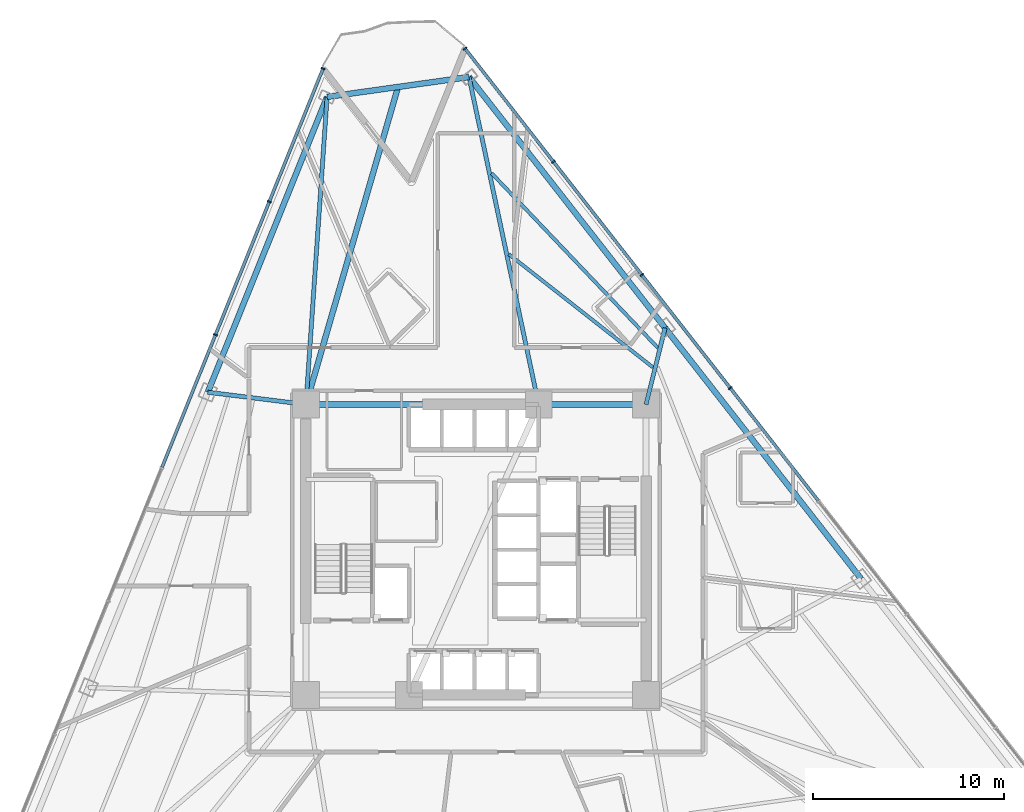
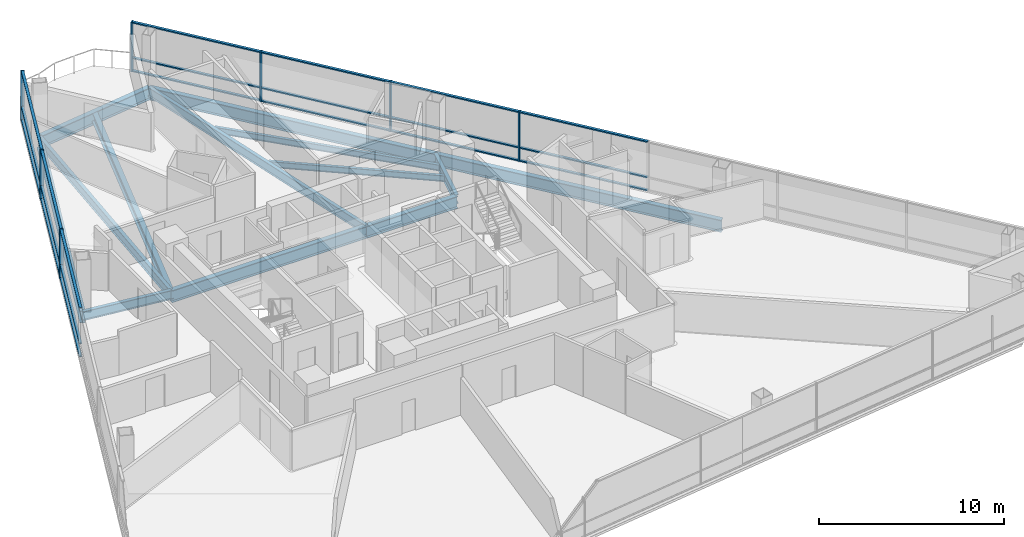
# One storey, part 5 of 15: 28 members, 13 beams, 2 elements without a shape of their own.
"""IFC4 building model written with IfcOpenShell, lengths in metres."""

from ifc_helpers import new_model, si_unit, direction, frame, origin, origin_2d, place, context, subcontext, project, spatial, rectangle, i_section, extrude, material, layer, layer_set, material_profile, profile_set, type_object, element, aggregate, save


model = new_model("IFC4")

# Units and contexts
model_context = context("Model", 3, precision=1e-05, world=origin(), true_north=direction((0.0, 1.0)))
body_context = subcontext(model_context, "Body", "Model", "MODEL_VIEW")
ifc_project = project(units=[si_unit("LENGTHUNIT", "METRE"), si_unit("AREAUNIT", "SQUARE_METRE"), si_unit("VOLUMEUNIT", "CUBIC_METRE"), si_unit("PLANEANGLEUNIT", "RADIAN"), si_unit("MASSUNIT", "GRAM", prefix="KILO")], contexts=[model_context])

# Site, building, storey
site_placement = place(None, origin())
site = spatial("IfcSite", under=ifc_project, at=site_placement, CompositionType="ELEMENT")
building_placement = place(site_placement, origin())
building = spatial("IfcBuilding", under=site, at=building_placement, Name="Tharavind Bronze Gate", CompositionType="ELEMENT")
storey_placement = place(building_placement, frame((0.0, 0.0, 74.199951171875)))
storey = spatial("IfcBuildingStorey", under=building, at=storey_placement, Name="L18", CompositionType="ELEMENT", Elevation=74.199951171875)

# Curtain wall, members
ifc_material_1 = material(Name="Anodised Bronze Aluminium", Category="aluminium")
ifc_layer = layer(ifc_material_1, 0.219970703125)
ifc_layer_set = layer_set([ifc_layer], Name="Anodised Bronze Aluminium")
curtain_wall_type = type_object("IfcCurtainWallType", Name="UNITISED CURTAIN WALL HOTEL", PredefinedType="USERDEFINED", material=ifc_layer_set)
curtain_wall_1_placement = place(storey_placement, origin())
curtain_wall_1 = element("IfcCurtainWall", 1, at=curtain_wall_1_placement, inside=storey, type_object=curtain_wall_type, Name="L18 unitised curtain wall hotel CW-L18-S1", ObjectType="UNITISED CURTAIN WALL", PredefinedType="USERDEFINED")
member_type_1 = type_object("IfcMemberType", Name="CURTAIN WALL MULLION 80X220", PredefinedType="MULLION", material=ifc_material_1)
member_1_placement = place(storey_placement, frame((-8.000732421875, 25.18310546875, 0.0), z_axis=(0.0, 0.0, 1.0), x_axis=(-0.374606593416, -0.927183854567, 0.0)))
member_1 = element("IfcMember", 2, at=member_1_placement, type_object=member_type_1, Name="CW-L18-S1 mullion 1", PredefinedType="MULLION", context=body_context, shape_type="SweptSolid", body=[
    extrude(rectangle(XDim=0.080078125, YDim=0.219970703125, at=origin_2d()), origin(), (0.0, 0.0, 1.0), 3.27490234375),
])
member_2_placement = place(storey_placement, frame((-10.81591796875, 18.215087890625, 0.0), z_axis=(0.0, 0.0, 1.0), x_axis=(-0.374606593416, -0.927183854567, 0.0)))
member_2 = element("IfcMember", 3, at=member_2_placement, type_object=member_type_1, Name="CW-L18-S1 mullion 2", PredefinedType="MULLION", context=body_context, shape_type="SweptSolid", body=[
    extrude(rectangle(XDim=0.080078125, YDim=0.219970703125, at=origin_2d()), origin(), (0.0, 0.0, 1.0), 3.27490234375),
])
member_3_placement = place(storey_placement, frame((-13.631103515625, 11.247314453125, 0.0), z_axis=(0.0, 0.0, 1.0), x_axis=(-0.374606593416, -0.927183854567, 0.0)))
member_3 = element("IfcMember", 4, at=member_3_placement, type_object=member_type_1, Name="CW-L18-S1 mullion 3", PredefinedType="MULLION", context=body_context, shape_type="SweptSolid", body=[
    extrude(rectangle(XDim=0.080078125, YDim=0.219970703125, at=origin_2d()), origin(), (0.0, 0.0, 1.0), 3.27490234375),
])

curtain_wall_2_placement = place(storey_placement, origin())
curtain_wall_2 = element("IfcCurtainWall", 5, at=curtain_wall_2_placement, inside=storey, type_object=curtain_wall_type, Name="L18 unitised curtain wall hotel CW-L18-S3", ObjectType="UNITISED CURTAIN WALL", PredefinedType="USERDEFINED")
member_4_placement = place(storey_placement, frame((13.306396484375, 8.4609375, 0.0), z_axis=(0.0, 0.0, 1.0), x_axis=(-0.615661475326, 0.788010753607, 0.0)))
member_4 = element("IfcMember", 6, at=member_4_placement, type_object=member_type_1, Name="CW-L18-S3 mullion 5", PredefinedType="MULLION", context=body_context, shape_type="SweptSolid", body=[
    extrude(rectangle(XDim=0.080078125, YDim=0.219970703125, at=origin_2d()), origin(), (0.0, 0.0, 1.0), 3.27490234375),
])
member_5_placement = place(storey_placement, frame((8.6796875, 14.383056640625, 0.0), z_axis=(0.0, 0.0, 1.0), x_axis=(-0.615661475326, 0.788010753607, 0.0)))
member_5 = element("IfcMember", 7, at=member_5_placement, type_object=member_type_1, Name="CW-L18-S3 mullion 6", PredefinedType="MULLION", context=body_context, shape_type="SweptSolid", body=[
    extrude(rectangle(XDim=0.080078125, YDim=0.219970703125, at=origin_2d()), origin(), (0.0, 0.0, 1.0), 3.27490234375),
])
member_6_placement = place(storey_placement, frame((4.052978515625, 20.304931640625, 0.0), z_axis=(0.0, 0.0, 1.0), x_axis=(-0.615661475326, 0.788010753607, 0.0)))
member_6 = element("IfcMember", 8, at=member_6_placement, type_object=member_type_1, Name="CW-L18-S3 mullion 7", PredefinedType="MULLION", context=body_context, shape_type="SweptSolid", body=[
    extrude(rectangle(XDim=0.080078125, YDim=0.219970703125, at=origin_2d()), origin(), (0.0, 0.0, 1.0), 3.27490234375),
])
member_7_placement = place(storey_placement, frame((-0.57373046875, 26.226806640625, 0.0), z_axis=(0.0, 0.0, 1.0), x_axis=(-0.615661475326, 0.788010753607, 0.0)))
member_7 = element("IfcMember", 9, at=member_7_placement, type_object=member_type_1, Name="CW-L18-S3 mullion 8", PredefinedType="MULLION", context=body_context, shape_type="SweptSolid", body=[
    extrude(rectangle(XDim=0.080078125, YDim=0.219970703125, at=origin_2d()), origin(), (0.0, 0.0, 1.0), 3.27490234375),
])

# Member
member_type_2 = type_object("IfcMemberType", Name="CURTAIN WALL TRANSOM 80X160", PredefinedType="USERDEFINED", material=ifc_material_1)
member_8_placement = place(storey_placement, frame((-9.408203125, 21.69921875, 0.0), z_axis=(0.0, 0.0, 1.0), x_axis=(-0.374606593416, -0.927183854567, 0.0)))
member_8 = element("IfcMember", 10, at=member_8_placement, type_object=member_type_2, Name="CW-L18-S1 transom TB1", ObjectType="TRANSOM", PredefinedType="USERDEFINED", context=body_context, shape_type="SweptSolid", body=[
    extrude(rectangle(XDim=7.447021484375, YDim=0.159912109375, at=origin_2d()), origin(), (0.0, 0.0, 1.0), 0.080078125),
])

member_9_placement = place(storey_placement, frame((-9.408203125, 21.69921875, 0.860107421875), z_axis=(0.0, 0.0, 1.0), x_axis=(-0.374606593416, -0.927183854567, 0.0)))
member_9 = element("IfcMember", 11, at=member_9_placement, type_object=member_type_2, Name="CW-L18-S1 transom TS1", ObjectType="TRANSOM", PredefinedType="USERDEFINED", context=body_context, shape_type="SweptSolid", body=[
    extrude(rectangle(XDim=7.447021484375, YDim=0.159912109375, at=origin_2d()), origin(), (0.0, 0.0, 1.0), 0.080078125),
])

member_10_placement = place(storey_placement, frame((-9.408203125, 21.69921875, 3.195068359375), z_axis=(0.0, 0.0, 1.0), x_axis=(-0.374606593416, -0.927183854567, 0.0)))
member_10 = element("IfcMember", 12, at=member_10_placement, type_object=member_type_2, Name="CW-L18-S1 transom TT1", ObjectType="TRANSOM", PredefinedType="USERDEFINED", context=body_context, shape_type="SweptSolid", body=[
    extrude(rectangle(XDim=7.447021484375, YDim=0.159912109375, at=origin_2d()), origin(), (0.0, 0.0, 1.0), 0.080078125),
])

member_11_placement = place(storey_placement, frame((-12.223388671875, 14.731201171875, 0.0), z_axis=(0.0, 0.0, 1.0), x_axis=(-0.374606593416, -0.927183854567, 0.0)))
member_11 = element("IfcMember", 13, at=member_11_placement, type_object=member_type_2, Name="CW-L18-S1 transom TB2", ObjectType="TRANSOM", PredefinedType="USERDEFINED", context=body_context, shape_type="SweptSolid", body=[
    extrude(rectangle(XDim=7.447021484375, YDim=0.159912109375, at=origin_2d()), origin(), (0.0, 0.0, 1.0), 0.080078125),
])

member_12_placement = place(storey_placement, frame((-12.223388671875, 14.731201171875, 0.860107421875), z_axis=(0.0, 0.0, 1.0), x_axis=(-0.374606593416, -0.927183854567, 0.0)))
member_12 = element("IfcMember", 14, at=member_12_placement, type_object=member_type_2, Name="CW-L18-S1 transom TS2", ObjectType="TRANSOM", PredefinedType="USERDEFINED", context=body_context, shape_type="SweptSolid", body=[
    extrude(rectangle(XDim=7.447021484375, YDim=0.159912109375, at=origin_2d()), origin(), (0.0, 0.0, 1.0), 0.080078125),
])

member_13_placement = place(storey_placement, frame((-12.223388671875, 14.731201171875, 3.195068359375), z_axis=(0.0, 0.0, 1.0), x_axis=(-0.374606593416, -0.927183854567, 0.0)))
member_13 = element("IfcMember", 15, at=member_13_placement, type_object=member_type_2, Name="CW-L18-S1 transom TT2", ObjectType="TRANSOM", PredefinedType="USERDEFINED", context=body_context, shape_type="SweptSolid", body=[
    extrude(rectangle(XDim=7.447021484375, YDim=0.159912109375, at=origin_2d()), origin(), (0.0, 0.0, 1.0), 0.080078125),
])

member_14_placement = place(storey_placement, frame((-15.038818359375, 7.763427734375, 0.0), z_axis=(0.0, 0.0, 1.0), x_axis=(-0.374606593416, -0.927183854567, 0.0)))
member_14 = element("IfcMember", 16, at=member_14_placement, type_object=member_type_2, Name="CW-L18-S1 transom TB3", ObjectType="TRANSOM", PredefinedType="USERDEFINED", context=body_context, shape_type="SweptSolid", body=[
    extrude(rectangle(XDim=7.447021484375, YDim=0.159912109375, at=origin_2d()), origin(), (0.0, 0.0, 1.0), 0.080078125),
])

member_15_placement = place(storey_placement, frame((-15.038818359375, 7.763427734375, 0.860107421875), z_axis=(0.0, 0.0, 1.0), x_axis=(-0.374606593416, -0.927183854567, 0.0)))
member_15 = element("IfcMember", 17, at=member_15_placement, type_object=member_type_2, Name="CW-L18-S1 transom TS3", ObjectType="TRANSOM", PredefinedType="USERDEFINED", context=body_context, shape_type="SweptSolid", body=[
    extrude(rectangle(XDim=7.447021484375, YDim=0.159912109375, at=origin_2d()), origin(), (0.0, 0.0, 1.0), 0.080078125),
])

member_16_placement = place(storey_placement, frame((-15.038818359375, 7.763427734375, 3.195068359375), z_axis=(0.0, 0.0, 1.0), x_axis=(-0.374606593416, -0.927183854567, 0.0)))
member_16 = element("IfcMember", 18, at=member_16_placement, type_object=member_type_2, Name="CW-L18-S1 transom TT3", ObjectType="TRANSOM", PredefinedType="USERDEFINED", context=body_context, shape_type="SweptSolid", body=[
    extrude(rectangle(XDim=7.447021484375, YDim=0.159912109375, at=origin_2d()), origin(), (0.0, 0.0, 1.0), 0.080078125),
])

aggregate(curtain_wall_1, [member_1, member_2, member_3, member_8, member_9, member_10, member_11, member_12, member_13, member_14, member_15, member_16])

member_17_placement = place(storey_placement, frame((15.619873046875, 5.5, 0.0), z_axis=(0.0, 0.0, 1.0), x_axis=(-0.615661475326, 0.788010753607, 0.0)))
member_17 = element("IfcMember", 19, at=member_17_placement, type_object=member_type_2, Name="CW-L18-S3 transom TB4", ObjectType="TRANSOM", PredefinedType="USERDEFINED", context=body_context, shape_type="SweptSolid", body=[
    extrude(rectangle(XDim=7.447021484375, YDim=0.159912109375, at=origin_2d()), origin(), (0.0, 0.0, 1.0), 0.080078125),
])

member_18_placement = place(storey_placement, frame((15.619873046875, 5.5, 0.860107421875), z_axis=(0.0, 0.0, 1.0), x_axis=(-0.615661475326, 0.788010753607, 0.0)))
member_18 = element("IfcMember", 20, at=member_18_placement, type_object=member_type_2, Name="CW-L18-S3 transom TS4", ObjectType="TRANSOM", PredefinedType="USERDEFINED", context=body_context, shape_type="SweptSolid", body=[
    extrude(rectangle(XDim=7.447021484375, YDim=0.159912109375, at=origin_2d()), origin(), (0.0, 0.0, 1.0), 0.080078125),
])

member_19_placement = place(storey_placement, frame((15.619873046875, 5.5, 3.195068359375), z_axis=(0.0, 0.0, 1.0), x_axis=(-0.615661475326, 0.788010753607, 0.0)))
member_19 = element("IfcMember", 21, at=member_19_placement, type_object=member_type_2, Name="CW-L18-S3 transom TT4", ObjectType="TRANSOM", PredefinedType="USERDEFINED", context=body_context, shape_type="SweptSolid", body=[
    extrude(rectangle(XDim=7.447021484375, YDim=0.159912109375, at=origin_2d()), origin(), (0.0, 0.0, 1.0), 0.080078125),
])

member_20_placement = place(storey_placement, frame((10.9931640625, 11.422119140625, 0.0), z_axis=(0.0, 0.0, 1.0), x_axis=(-0.615661475326, 0.788010753607, 0.0)))
member_20 = element("IfcMember", 22, at=member_20_placement, type_object=member_type_2, Name="CW-L18-S3 transom TB5", ObjectType="TRANSOM", PredefinedType="USERDEFINED", context=body_context, shape_type="SweptSolid", body=[
    extrude(rectangle(XDim=7.447021484375, YDim=0.159912109375, at=origin_2d()), origin(), (0.0, 0.0, 1.0), 0.080078125),
])

member_21_placement = place(storey_placement, frame((10.9931640625, 11.422119140625, 0.860107421875), z_axis=(0.0, 0.0, 1.0), x_axis=(-0.615661475326, 0.788010753607, 0.0)))
member_21 = element("IfcMember", 23, at=member_21_placement, type_object=member_type_2, Name="CW-L18-S3 transom TS5", ObjectType="TRANSOM", PredefinedType="USERDEFINED", context=body_context, shape_type="SweptSolid", body=[
    extrude(rectangle(XDim=7.447021484375, YDim=0.159912109375, at=origin_2d()), origin(), (0.0, 0.0, 1.0), 0.080078125),
])

member_22_placement = place(storey_placement, frame((10.9931640625, 11.422119140625, 3.195068359375), z_axis=(0.0, 0.0, 1.0), x_axis=(-0.615661475326, 0.788010753607, 0.0)))
member_22 = element("IfcMember", 24, at=member_22_placement, type_object=member_type_2, Name="CW-L18-S3 transom TT5", ObjectType="TRANSOM", PredefinedType="USERDEFINED", context=body_context, shape_type="SweptSolid", body=[
    extrude(rectangle(XDim=7.447021484375, YDim=0.159912109375, at=origin_2d()), origin(), (0.0, 0.0, 1.0), 0.080078125),
])

member_23_placement = place(storey_placement, frame((6.366455078125, 17.343994140625, 0.0), z_axis=(0.0, 0.0, 1.0), x_axis=(-0.615661475326, 0.788010753607, 0.0)))
member_23 = element("IfcMember", 25, at=member_23_placement, type_object=member_type_2, Name="CW-L18-S3 transom TB6", ObjectType="TRANSOM", PredefinedType="USERDEFINED", context=body_context, shape_type="SweptSolid", body=[
    extrude(rectangle(XDim=7.447021484375, YDim=0.159912109375, at=origin_2d()), origin(), (0.0, 0.0, 1.0), 0.080078125),
])

member_24_placement = place(storey_placement, frame((6.366455078125, 17.343994140625, 0.860107421875), z_axis=(0.0, 0.0, 1.0), x_axis=(-0.615661475326, 0.788010753607, 0.0)))
member_24 = element("IfcMember", 26, at=member_24_placement, type_object=member_type_2, Name="CW-L18-S3 transom TS6", ObjectType="TRANSOM", PredefinedType="USERDEFINED", context=body_context, shape_type="SweptSolid", body=[
    extrude(rectangle(XDim=7.447021484375, YDim=0.159912109375, at=origin_2d()), origin(), (0.0, 0.0, 1.0), 0.080078125),
])

member_25_placement = place(storey_placement, frame((6.366455078125, 17.343994140625, 3.195068359375), z_axis=(0.0, 0.0, 1.0), x_axis=(-0.615661475326, 0.788010753607, 0.0)))
member_25 = element("IfcMember", 27, at=member_25_placement, type_object=member_type_2, Name="CW-L18-S3 transom TT6", ObjectType="TRANSOM", PredefinedType="USERDEFINED", context=body_context, shape_type="SweptSolid", body=[
    extrude(rectangle(XDim=7.447021484375, YDim=0.159912109375, at=origin_2d()), origin(), (0.0, 0.0, 1.0), 0.080078125),
])

member_26_placement = place(storey_placement, frame((1.73974609375, 23.265869140625, 0.0), z_axis=(0.0, 0.0, 1.0), x_axis=(-0.615661475326, 0.788010753607, 0.0)))
member_26 = element("IfcMember", 28, at=member_26_placement, type_object=member_type_2, Name="CW-L18-S3 transom TB7", ObjectType="TRANSOM", PredefinedType="USERDEFINED", context=body_context, shape_type="SweptSolid", body=[
    extrude(rectangle(XDim=7.447021484375, YDim=0.159912109375, at=origin_2d()), origin(), (0.0, 0.0, 1.0), 0.080078125),
])

member_27_placement = place(storey_placement, frame((1.73974609375, 23.265869140625, 0.860107421875), z_axis=(0.0, 0.0, 1.0), x_axis=(-0.615661475326, 0.788010753607, 0.0)))
member_27 = element("IfcMember", 29, at=member_27_placement, type_object=member_type_2, Name="CW-L18-S3 transom TS7", ObjectType="TRANSOM", PredefinedType="USERDEFINED", context=body_context, shape_type="SweptSolid", body=[
    extrude(rectangle(XDim=7.447021484375, YDim=0.159912109375, at=origin_2d()), origin(), (0.0, 0.0, 1.0), 0.080078125),
])

member_28_placement = place(storey_placement, frame((1.73974609375, 23.265869140625, 3.195068359375), z_axis=(0.0, 0.0, 1.0), x_axis=(-0.615661475326, 0.788010753607, 0.0)))
member_28 = element("IfcMember", 30, at=member_28_placement, type_object=member_type_2, Name="CW-L18-S3 transom TT7", ObjectType="TRANSOM", PredefinedType="USERDEFINED", context=body_context, shape_type="SweptSolid", body=[
    extrude(rectangle(XDim=7.447021484375, YDim=0.159912109375, at=origin_2d()), origin(), (0.0, 0.0, 1.0), 0.080078125),
])

aggregate(curtain_wall_2, [member_4, member_5, member_6, member_7, member_17, member_18, member_19, member_20, member_21, member_22, member_23, member_24, member_25, member_26, member_27, member_28])

# Beams
ifc_material_2 = material(Name="Steel S355", Category="steel")
ifc_material_profile_1 = material_profile(ifc_material_2, i_section(OverallWidth=0.300048828125, OverallDepth=0.64990234375, WebThickness=0.01611328125, FlangeThickness=0.031005859375, at=origin_2d()), Name="HE650B")
ifc_profile_set_1 = profile_set([ifc_material_profile_1], Name="Steel S355")
beam_type_1 = type_object("IfcBeamType", Name="PRIMARY GIRDER HE650B", PredefinedType="USERDEFINED", material=ifc_profile_set_1)
beam_1_placement = place(storey_placement, frame((-8.89990234375, 7.60009765625, -0.5), z_axis=(0.278626347577, 0.960399582693, 0.0), x_axis=(-0.960399582693, 0.278626347577, 0.0)))
element("IfcBeam", 31, at=beam_1_placement, inside=storey, type_object=beam_type_1, Name="L18 primary girder he650b BM-L18-BLCSB", ObjectType="GIRDER", PredefinedType="USERDEFINED", context=body_context, shape_type="SweptSolid", body=[
    extrude(i_section(OverallWidth=0.300048828125, OverallDepth=0.64990234375, WebThickness=0.01611328125, FlangeThickness=0.031005859375, at=origin_2d()), origin(), (0.0, 0.0, 1.0), 17.3046875),
])
ifc_material_profile_2 = material_profile(ifc_material_2, i_section(OverallWidth=0.219970703125, OverallDepth=0.60009765625, WebThickness=0.011962890625, FlangeThickness=0.01904296875, at=origin_2d()), Name="IPE600")
ifc_profile_set_2 = profile_set([ifc_material_profile_2], Name="Steel S355")
beam_type_2 = type_object("IfcBeamType", Name="PRIMARY GIRDER IPE600", PredefinedType="USERDEFINED", material=ifc_profile_set_2)
beam_2_placement = place(storey_placement, frame((-7.7919921875, 23.69775390625, -0.474853515625), z_axis=(-0.06866188826, -0.997639987721, 0.0), x_axis=(0.997639987721, -0.06866188826, 0.0)))
element("IfcBeam", 32, at=beam_2_placement, inside=storey, type_object=beam_type_2, Name="L18 primary girder ipe600 BM-L18-RAD01", ObjectType="GIRDER", PredefinedType="USERDEFINED", context=body_context, shape_type="SweptSolid", body=[
    extrude(i_section(OverallWidth=0.219970703125, OverallDepth=0.60009765625, WebThickness=0.011962890625, FlangeThickness=0.01904296875, at=origin_2d()), origin(), (0.0, 0.0, 1.0), 16.1357421875),
])
beam_3_placement = place(storey_placement, frame((-14.036376953125, 8.2421875, -0.474853515625), z_axis=(0.992277151101, -0.124040539351, 0.0), x_axis=(0.124040539351, 0.992277151101, 0.0)))
element("IfcBeam", 33, at=beam_3_placement, inside=storey, type_object=beam_type_2, Name="L18 primary girder ipe600 BM-L18-RAD02", ObjectType="GIRDER", PredefinedType="USERDEFINED", context=body_context, shape_type="SweptSolid", body=[
    extrude(i_section(OverallWidth=0.219970703125, OverallDepth=0.60009765625, WebThickness=0.011962890625, FlangeThickness=0.01904296875, at=origin_2d()), origin(), (0.0, 0.0, 1.0), 5.176513671875),
])
beam_4_placement = place(storey_placement, frame((9.897705078125, 11.60595703125, -0.474853515625), z_axis=(-0.241700633281, -0.970350866373, 0.0), x_axis=(0.970350866373, -0.241700633281, 0.0)))
element("IfcBeam", 34, at=beam_4_placement, inside=storey, type_object=beam_type_2, Name="L18 primary girder ipe600 BM-L18-RAD11", ObjectType="GIRDER", PredefinedType="USERDEFINED", context=body_context, shape_type="SweptSolid", body=[
    extrude(i_section(OverallWidth=0.219970703125, OverallDepth=0.60009765625, WebThickness=0.011962890625, FlangeThickness=0.01904296875, at=origin_2d()), origin(), (0.0, 0.0, 1.0), 4.128173828125),
])
beam_5_placement = place(storey_placement, frame((-0.364990234375, 24.741455078125, -0.474853515625), z_axis=(0.207994213737, -0.978130056307, 0.0), x_axis=(0.978130056307, 0.207994213737, 0.0)))
element("IfcBeam", 35, at=beam_5_placement, inside=storey, type_object=beam_type_2, Name="L18 primary girder ipe600 BM-L18-RAD12", ObjectType="GIRDER", PredefinedType="USERDEFINED", context=body_context, shape_type="SweptSolid", body=[
    extrude(i_section(OverallWidth=0.219970703125, OverallDepth=0.60009765625, WebThickness=0.011962890625, FlangeThickness=0.01904296875, at=origin_2d()), origin(), (0.0, 0.0, 1.0), 17.524658203125),
])
ifc_material_profile_3 = material_profile(ifc_material_2, i_section(OverallWidth=0.300048828125, OverallDepth=0.800048828125, WebThickness=0.017578125, FlangeThickness=0.032958984375, at=origin_2d()), Name="HE800B")
ifc_profile_set_3 = profile_set([ifc_material_profile_3], Name="Steel S355")
beam_type_3 = type_object("IfcBeamType", Name="RING GIRDER HE800B", PredefinedType="USERDEFINED", material=ifc_profile_set_3)
beam_6_placement = place(storey_placement, frame((8.89990234375, 7.60009765625, -0.574951171875), z_axis=(-1.0, 0.0, 0.0), x_axis=(0.0, -1.0, 0.0)))
element("IfcBeam", 36, at=beam_6_placement, inside=storey, type_object=beam_type_3, Name="L18 ring girder he800b BM-L18-CR4", ObjectType="GIRDER", PredefinedType="USERDEFINED", context=body_context, shape_type="SweptSolid", body=[
    extrude(i_section(OverallWidth=0.300048828125, OverallDepth=0.800048828125, WebThickness=0.017578125, FlangeThickness=0.032958984375, at=origin_2d()), origin(), (0.0, 0.0, 1.0), 5.619873046875),
])
beam_7_placement = place(storey_placement, frame((3.280029296875, 7.60009765625, -0.574951171875), z_axis=(-1.0, 0.0, 0.0), x_axis=(0.0, -1.0, 0.0)))
element("IfcBeam", 37, at=beam_7_placement, inside=storey, type_object=beam_type_3, Name="L18 ring girder he800b BM-L18-CR5", ObjectType="GIRDER", PredefinedType="USERDEFINED", context=body_context, shape_type="SweptSolid", body=[
    extrude(i_section(OverallWidth=0.300048828125, OverallDepth=0.800048828125, WebThickness=0.017578125, FlangeThickness=0.032958984375, at=origin_2d()), origin(), (0.0, 0.0, 1.0), 12.179931640625),
])
beam_8_placement = place(storey_placement, frame((-7.7919921875, 23.69775390625, -0.574951171875), z_axis=(-0.374603014443, -0.927185300557, 0.0), x_axis=(0.927185300557, -0.374603014443, 0.0)))
element("IfcBeam", 38, at=beam_8_placement, inside=storey, type_object=beam_type_3, Name="L18 ring girder he800b BM-L18-PRG01", ObjectType="GIRDER", PredefinedType="USERDEFINED", context=body_context, shape_type="SweptSolid", body=[
    extrude(i_section(OverallWidth=0.300048828125, OverallDepth=0.800048828125, WebThickness=0.017578125, FlangeThickness=0.032958984375, at=origin_2d()), origin(), (0.0, 0.0, 1.0), 16.66943359375),
])
beam_9_placement = place(storey_placement, frame((20.16015625, -1.529296875, -0.574951171875), z_axis=(-0.615663937513, 0.788008829929, 0.0), x_axis=(-0.788008829929, -0.615663937513, 0.0)))
element("IfcBeam", 39, at=beam_9_placement, inside=storey, type_object=beam_type_3, Name="L18 ring girder he800b BM-L18-PRG10", ObjectType="GIRDER", PredefinedType="USERDEFINED", context=body_context, shape_type="SweptSolid", body=[
    extrude(i_section(OverallWidth=0.300048828125, OverallDepth=0.800048828125, WebThickness=0.017578125, FlangeThickness=0.032958984375, at=origin_2d()), origin(), (0.0, 0.0, 1.0), 16.6689453125),
])
beam_10_placement = place(storey_placement, frame((9.897705078125, 11.60595703125, -0.574951171875), z_axis=(-0.615665926595, 0.788007275873, 0.0), x_axis=(-0.788007275873, -0.615665926595, 0.0)))
element("IfcBeam", 40, at=beam_10_placement, inside=storey, type_object=beam_type_3, Name="L18 ring girder he800b BM-L18-PRG11", ObjectType="GIRDER", PredefinedType="USERDEFINED", context=body_context, shape_type="SweptSolid", body=[
    extrude(i_section(OverallWidth=0.300048828125, OverallDepth=0.800048828125, WebThickness=0.017578125, FlangeThickness=0.032958984375, at=origin_2d()), origin(), (0.0, 0.0, 1.0), 16.669189453125),
])
beam_11_placement = place(storey_placement, frame((-0.364990234375, 24.741455078125, -0.574951171875), z_axis=(-0.990269830577, -0.139160564272, 0.0), x_axis=(0.139160564272, -0.990269830577, 0.0)))
element("IfcBeam", 41, at=beam_11_placement, inside=storey, type_object=beam_type_3, Name="L18 ring girder he800b BM-L18-PRG12", ObjectType="GIRDER", PredefinedType="USERDEFINED", context=body_context, shape_type="SweptSolid", body=[
    extrude(i_section(OverallWidth=0.300048828125, OverallDepth=0.800048828125, WebThickness=0.017578125, FlangeThickness=0.032958984375, at=origin_2d()), origin(), (0.0, 0.0, 1.0), 7.5),
])
ifc_material_profile_4 = material_profile(ifc_material_2, i_section(OverallWidth=0.179931640625, OverallDepth=0.39990234375, WebThickness=0.008544921875, FlangeThickness=0.013427734375, at=origin_2d()), Name="IPE400")
ifc_profile_set_4 = profile_set([ifc_material_profile_4], Name="Steel S355")
beam_type_4 = type_object("IfcBeamType", Name="SECONDARY FLOOR JOIST IPE400", PredefinedType="JOIST", material=ifc_profile_set_4)
beam_12_placement = place(storey_placement, frame((9.265869140625, 9.539794921875, -0.375), z_axis=(-0.786502051984, 0.617587663595, 0.0), x_axis=(-0.617587663595, -0.786502051984, 0.0)))
element("IfcBeam", 42, at=beam_12_placement, inside=storey, type_object=beam_type_4, Name="L18 secondary floor joist ipe400 BM-L18-JSTA11", PredefinedType="JOIST", context=body_context, shape_type="SweptSolid", body=[
    extrude(i_section(OverallWidth=0.179931640625, OverallDepth=0.39990234375, WebThickness=0.008544921875, FlangeThickness=0.013427734375, at=origin_2d()), origin(), (0.0, 0.0, 1.0), 9.58984375),
])
beam_13_placement = place(storey_placement, frame((9.520751953125, 10.5615234375, -0.375), z_axis=(-0.689438692016, 0.724344041151, 0.0), x_axis=(-0.724344041151, -0.689438692016, 0.0)))
element("IfcBeam", 43, at=beam_13_placement, inside=storey, type_object=beam_type_4, Name="L18 secondary floor joist ipe400 BM-L18-JSTB11", PredefinedType="JOIST", context=body_context, shape_type="SweptSolid", body=[
    extrude(i_section(OverallWidth=0.179931640625, OverallDepth=0.39990234375, WebThickness=0.008544921875, FlangeThickness=0.013427734375, at=origin_2d()), origin(), (0.0, 0.0, 1.0), 12.617919921875),
])

save(model, "model.ifc")
